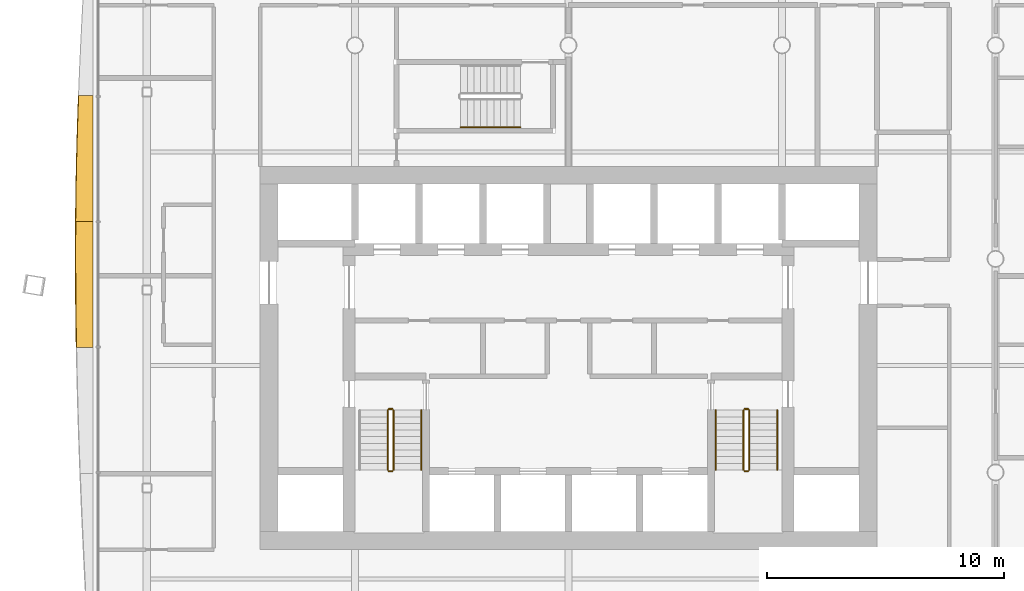
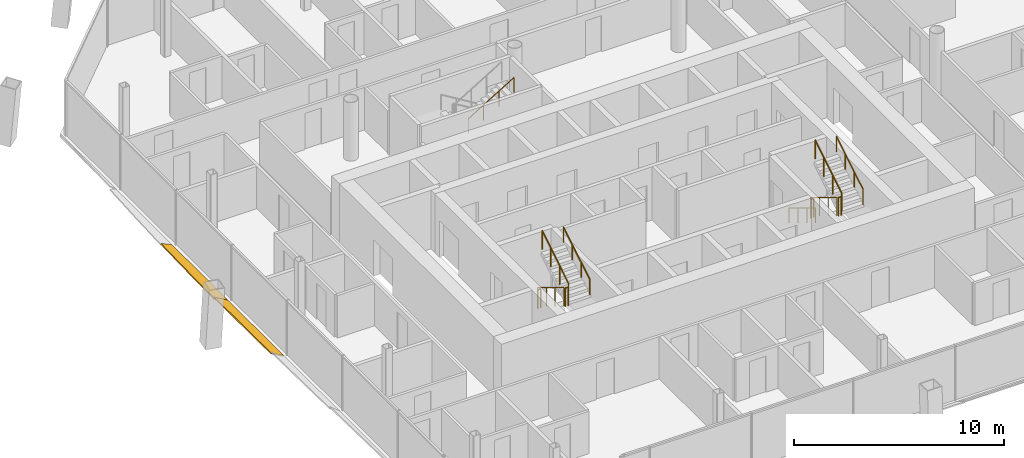
# One storey, part 18 of 21: 12 railings, 2 shading devices.
"""IFC4 building model written with IfcOpenShell, lengths in metres."""

from ifc_helpers import new_model, si_unit, direction, frame, origin, origin_2d, place, context, subcontext, project, spatial, polyline, circle, outline, extrude, material, layer, layer_set, type_object, element, save


model = new_model("IFC4")

# Units and contexts
model_context = context("Model", 3, precision=1e-05, world=origin(), true_north=direction((0.0, 1.0)))
body_context = subcontext(model_context, "Body", "Model", "MODEL_VIEW")
ifc_project = project(units=[si_unit("LENGTHUNIT", "METRE"), si_unit("AREAUNIT", "SQUARE_METRE"), si_unit("VOLUMEUNIT", "CUBIC_METRE"), si_unit("PLANEANGLEUNIT", "RADIAN"), si_unit("MASSUNIT", "GRAM", prefix="KILO")], contexts=[model_context])

# Site, building, storey
site_placement = place(None, origin())
site = spatial("IfcSite", under=ifc_project, at=site_placement, CompositionType="ELEMENT")
building_placement = place(site_placement, origin())
building = spatial("IfcBuilding", under=site, at=building_placement, Name="Tskaro Facet Tower", CompositionType="ELEMENT")
storey_placement = place(building_placement, frame((0.0, 0.0, 138.5)))
storey = spatial("IfcBuildingStorey", under=building, at=storey_placement, Name="L33", CompositionType="ELEMENT", Elevation=138.5)

# Shading devices
ifc_material_1 = material(Name="Bronze anodised aluminium 6063-T6", Category="aluminium")
ifc_layer = layer(ifc_material_1, 0.06005859375, Name="Bronze anodised aluminium 6063-T6")
ifc_layer_set = layer_set([ifc_layer], Name="Bronze anodised aluminium 6063-T6")
shading_device_type = type_object("IfcShadingDeviceType", Name="Bronze sun blade (FN1)", PredefinedType="USERDEFINED", material=ifc_layer_set)
shading_device_1_placement = place(storey_placement, frame((-20.044677734375, 6.896240234375, 0.054443359375), z_axis=(0.422563012401, 1.3069207e-05, 0.906333548083), x_axis=(5.522564e-06, -0.999999999915, 1.1845061e-05)))
element("IfcShadingDevice", 1, at=shading_device_1_placement, inside=storey, type_object=shading_device_type, Name="Fin blade west 3", ObjectType="FIN", PredefinedType="USERDEFINED", context=body_context, shape_type="SweptSolid", body=[
    extrude(outline(polyline([(0.0, 0.0), (5.314697265171114, 0.0), (5.314697266000119, -0.8000635767236906), (4.6503906242412825, -0.792748067699765), (3.986083985746106, -0.7825858982560377), (3.3217773433825877, -0.7695920116354988), (2.65747070428273, -0.7537514645951583), (1.9929199206895514, -0.735079200378006), (1.3286132796367305, -0.7137815485799582), (0.6643066404992886, -0.6898585092010152), (-9.629170461829065e-10, -0.6634281902821247), (0.0, 0.0)])), origin(), (0.0, 0.0, -1.0), 0.06005859375),
])
shading_device_2_placement = place(storey_placement, frame((-20.0400390625, 1.58154296875, 0.052001953125), z_axis=(0.499997975397, -1.6372084e-05, 0.866026572532), x_axis=(-8.186009e-06, -0.999999999866, -1.417866e-05)))
element("IfcShadingDevice", 2, at=shading_device_2_placement, inside=storey, type_object=shading_device_type, Name="Fin blade west 4", ObjectType="FIN", PredefinedType="USERDEFINED", context=body_context, shape_type="SweptSolid", body=[
    extrude(outline(polyline([(0.0, 0.0), (5.314941405537678, -4.501930483819853e-21), (5.314941407450718, -0.8019634460191797), (4.650634764849133, -0.8144402811164849), (3.9863281255657212, -0.8248267412416579), (3.3220214841403592, -0.8330334639442142), (2.657470701411128, -0.8387269471372127), (1.9931640606264998, -0.8421186230893661), (1.3288574231600447, -0.8434199240693873), (1.3181152356614845, -0.8434199240693873), (0.6645507810176136, -0.8417851210024248), (-9.656370637869182e-10, -0.8373035763389631), (0.0, 0.0)])), origin(), (0.0, 0.0, -1.0), 0.06005859375),
])

# Railings
ifc_material_2 = material(Name="Stainless steel", Category="steel")
railing_type_1 = type_object("IfcRailingType", Name="RL-GUARD-1100", PredefinedType="GUARDRAIL", material=ifc_material_2)
railing_1_placement = place(storey_placement, frame((-7.625, -6.375, 0.169921875)))
element("IfcRailing", 3, at=railing_1_placement, inside=storey, type_object=railing_type_1, Name="L33 ST-1 stair guard 1", PredefinedType="GUARDRAIL", context=body_context, shape_type="SweptSolid", body=[
    extrude(circle(Radius=0.02392578125, at=origin_2d()), frame((0.0, 0.0, 1.076171875), z_axis=(0.0, -0.85478489116, 0.518982456201), x_axis=(1.0, 0.0, 0.0)), (0.0, 0.0, 1.0), 2.9482421875),
    extrude(circle(Radius=0.02099609375, at=origin_2d()), origin(), (0.0, 0.0, 1.0), 1.052001953125),
    extrude(circle(Radius=0.02099609375, at=origin_2d()), frame((0.0, -0.840087890625, 0.510009765625)), (0.0, 0.0, 1.0), 1.052001953125),
    extrude(circle(Radius=0.02099609375, at=origin_2d()), frame((0.0, -1.679931640625, 1.02001953125)), (0.0, 0.0, 1.0), 1.052001953125),
    extrude(circle(Radius=0.02099609375, at=origin_2d()), frame((0.0, -2.52001953125, 1.530029296875)), (0.0, 0.0, 1.0), 1.052001953125),
])
railing_2_placement = place(storey_placement, frame((-7.574951171875, -8.945068359375, 1.699951171875)))
element("IfcRailing", 4, at=railing_2_placement, inside=storey, type_object=railing_type_1, Name="L33 ST-1 stair guard 2", PredefinedType="GUARDRAIL", context=body_context, shape_type="SweptSolid", body=[
    extrude(circle(Radius=0.02392578125, at=origin_2d()), frame((0.0, 0.0, 1.076171875), z_axis=(1.0, 0.0, 0.0), x_axis=(0.0, 1.0, 0.0)), (0.0, 0.0, 1.0), 0.14990234375),
    extrude(circle(Radius=0.02099609375, at=origin_2d()), origin(), (0.0, 0.0, 1.0), 1.052001953125),
    extrude(circle(Radius=0.02099609375, at=origin_2d()), frame((0.14990234375, 0.0, 0.0)), (0.0, 0.0, 1.0), 1.052001953125),
])
railing_3_placement = place(storey_placement, frame((-7.375, -8.89501953125, 1.8701171875)))
element("IfcRailing", 5, at=railing_3_placement, inside=storey, type_object=railing_type_1, Name="L33 ST-1 stair guard 3", PredefinedType="GUARDRAIL", context=body_context, shape_type="SweptSolid", body=[
    extrude(circle(Radius=0.02392578125, at=origin_2d()), frame((0.0, 0.0, 1.076171875), z_axis=(0.0, 0.854821627497, 0.518921945155), x_axis=(-1.0, 0.0, 0.0)), (0.0, 0.0, 1.0), 2.947998046875),
    extrude(circle(Radius=0.02099609375, at=origin_2d()), origin(), (0.0, 0.0, 1.0), 1.052001953125),
    extrude(circle(Radius=0.02099609375, at=origin_2d()), frame((0.0, 0.840087890625, 0.510009765625)), (0.0, 0.0, 1.0), 1.052001953125),
    extrude(circle(Radius=0.02099609375, at=origin_2d()), frame((0.0, 1.679931640625, 1.019775390625)), (0.0, 0.0, 1.0), 1.052001953125),
    extrude(circle(Radius=0.02099609375, at=origin_2d()), frame((0.0, 2.52001953125, 1.52978515625)), (0.0, 0.0, 1.0), 1.052001953125),
])
railing_4_placement = place(storey_placement, frame((-7.574951171875, -6.324951171875, 0.0)))
element("IfcRailing", 6, at=railing_4_placement, inside=storey, type_object=railing_type_1, Name="L33 ST-1 stair guard 4", PredefinedType="GUARDRAIL", context=body_context, shape_type="SweptSolid", body=[
    extrude(circle(Radius=0.02392578125, at=origin_2d()), frame((0.0, 0.0, 1.076171875), z_axis=(1.0, 0.0, 0.0), x_axis=(0.0, 1.0, 0.0)), (0.0, 0.0, 1.0), 0.14990234375),
    extrude(circle(Radius=0.02099609375, at=origin_2d()), origin(), (0.0, 0.0, 1.0), 1.052001953125),
    extrude(circle(Radius=0.02099609375, at=origin_2d()), frame((0.14990234375, 0.0, 0.0)), (0.0, 0.0, 1.0), 1.052001953125),
])
railing_5_placement = place(storey_placement, frame((7.375, -6.375, 0.169921875)))
element("IfcRailing", 7, at=railing_5_placement, inside=storey, type_object=railing_type_1, Name="L33 ST-2 stair guard 1", PredefinedType="GUARDRAIL", context=body_context, shape_type="SweptSolid", body=[
    extrude(circle(Radius=0.02392578125, at=origin_2d()), frame((0.0, 0.0, 1.076171875), z_axis=(0.0, -0.85478489116, 0.518982456201), x_axis=(1.0, 0.0, 0.0)), (0.0, 0.0, 1.0), 2.9482421875),
    extrude(circle(Radius=0.02099609375, at=origin_2d()), origin(), (0.0, 0.0, 1.0), 1.052001953125),
    extrude(circle(Radius=0.02099609375, at=origin_2d()), frame((0.0, -0.840087890625, 0.510009765625)), (0.0, 0.0, 1.0), 1.052001953125),
    extrude(circle(Radius=0.02099609375, at=origin_2d()), frame((0.0, -1.679931640625, 1.02001953125)), (0.0, 0.0, 1.0), 1.052001953125),
    extrude(circle(Radius=0.02099609375, at=origin_2d()), frame((0.0, -2.52001953125, 1.530029296875)), (0.0, 0.0, 1.0), 1.052001953125),
])
railing_6_placement = place(storey_placement, frame((7.425048828125, -8.945068359375, 1.699951171875)))
element("IfcRailing", 8, at=railing_6_placement, inside=storey, type_object=railing_type_1, Name="L33 ST-2 stair guard 2", PredefinedType="GUARDRAIL", context=body_context, shape_type="SweptSolid", body=[
    extrude(circle(Radius=0.02392578125, at=origin_2d()), frame((0.0, 0.0, 1.076171875), z_axis=(1.0, 0.0, 0.0), x_axis=(0.0, 1.0, 0.0)), (0.0, 0.0, 1.0), 0.14990234375),
    extrude(circle(Radius=0.02099609375, at=origin_2d()), origin(), (0.0, 0.0, 1.0), 1.052001953125),
    extrude(circle(Radius=0.02099609375, at=origin_2d()), frame((0.14990234375, 0.0, 0.0)), (0.0, 0.0, 1.0), 1.052001953125),
])
railing_7_placement = place(storey_placement, frame((7.625, -8.89501953125, 1.8701171875)))
element("IfcRailing", 9, at=railing_7_placement, inside=storey, type_object=railing_type_1, Name="L33 ST-2 stair guard 3", PredefinedType="GUARDRAIL", context=body_context, shape_type="SweptSolid", body=[
    extrude(circle(Radius=0.02392578125, at=origin_2d()), frame((0.0, 0.0, 1.076171875), z_axis=(0.0, 0.854821627497, 0.518921945155), x_axis=(-1.0, 0.0, 0.0)), (0.0, 0.0, 1.0), 2.947998046875),
    extrude(circle(Radius=0.02099609375, at=origin_2d()), origin(), (0.0, 0.0, 1.0), 1.052001953125),
    extrude(circle(Radius=0.02099609375, at=origin_2d()), frame((0.0, 0.840087890625, 0.510009765625)), (0.0, 0.0, 1.0), 1.052001953125),
    extrude(circle(Radius=0.02099609375, at=origin_2d()), frame((0.0, 1.679931640625, 1.019775390625)), (0.0, 0.0, 1.0), 1.052001953125),
    extrude(circle(Radius=0.02099609375, at=origin_2d()), frame((0.0, 2.52001953125, 1.52978515625)), (0.0, 0.0, 1.0), 1.052001953125),
])
railing_8_placement = place(storey_placement, frame((7.425048828125, -6.324951171875, 0.0)))
element("IfcRailing", 10, at=railing_8_placement, inside=storey, type_object=railing_type_1, Name="L33 ST-2 stair guard 4", PredefinedType="GUARDRAIL", context=body_context, shape_type="SweptSolid", body=[
    extrude(circle(Radius=0.02392578125, at=origin_2d()), frame((0.0, 0.0, 1.076171875), z_axis=(1.0, 0.0, 0.0), x_axis=(0.0, 1.0, 0.0)), (0.0, 0.0, 1.0), 0.14990234375),
    extrude(circle(Radius=0.02099609375, at=origin_2d()), origin(), (0.0, 0.0, 1.0), 1.052001953125),
    extrude(circle(Radius=0.02099609375, at=origin_2d()), frame((0.14990234375, 0.0, 0.0)), (0.0, 0.0, 1.0), 1.052001953125),
])
railing_type_2 = type_object("IfcRailingType", Name="RL-HANDRAIL-900", PredefinedType="HANDRAIL", material=ifc_material_2)
railing_9_placement = place(storey_placement, frame((-6.199951171875, -8.89501953125, 1.8701171875)))
element("IfcRailing", 11, at=railing_9_placement, inside=storey, type_object=railing_type_2, Name="L33 ST-1 stair handrail 2", PredefinedType="HANDRAIL", context=body_context, shape_type="SweptSolid", body=[
    extrude(circle(Radius=0.02392578125, at=origin_2d()), frame((0.0, 0.0, 0.8759765625), z_axis=(0.0, 0.854821627497, 0.518921945155), x_axis=(-1.0, 0.0, 0.0)), (0.0, 0.0, 1.0), 2.947998046875),
    extrude(circle(Radius=0.02099609375, at=origin_2d()), origin(), (0.0, 0.0, 1.0), 0.851806640625),
    extrude(circle(Radius=0.02099609375, at=origin_2d()), frame((0.0, 0.840087890625, 0.510009765625)), (0.0, 0.0, 1.0), 0.851806640625),
    extrude(circle(Radius=0.02099609375, at=origin_2d()), frame((0.0, 1.679931640625, 1.019775390625)), (0.0, 0.0, 1.0), 0.851806640625),
    extrude(circle(Radius=0.02099609375, at=origin_2d()), frame((0.0, 2.52001953125, 1.52978515625)), (0.0, 0.0, 1.0), 0.851806640625),
])
railing_10_placement = place(storey_placement, frame((6.199951171875, -6.375, 0.169921875)))
element("IfcRailing", 12, at=railing_10_placement, inside=storey, type_object=railing_type_2, Name="L33 ST-2 stair handrail 1", PredefinedType="HANDRAIL", context=body_context, shape_type="SweptSolid", body=[
    extrude(circle(Radius=0.02392578125, at=origin_2d()), frame((0.0, 0.0, 0.8759765625), z_axis=(0.0, -0.85478489116, 0.518982456201), x_axis=(1.0, 0.0, 0.0)), (0.0, 0.0, 1.0), 2.9482421875),
    extrude(circle(Radius=0.02099609375, at=origin_2d()), origin(), (0.0, 0.0, 1.0), 0.851806640625),
    extrude(circle(Radius=0.02099609375, at=origin_2d()), frame((0.0, -0.840087890625, 0.510009765625)), (0.0, 0.0, 1.0), 0.851806640625),
    extrude(circle(Radius=0.02099609375, at=origin_2d()), frame((0.0, -1.679931640625, 1.02001953125)), (0.0, 0.0, 1.0), 0.851806640625),
    extrude(circle(Radius=0.02099609375, at=origin_2d()), frame((0.0, -2.52001953125, 1.530029296875)), (0.0, 0.0, 1.0), 0.851806640625),
])
railing_11_placement = place(storey_placement, frame((8.800048828125, -8.89501953125, 1.8701171875)))
element("IfcRailing", 13, at=railing_11_placement, inside=storey, type_object=railing_type_2, Name="L33 ST-2 stair handrail 2", PredefinedType="HANDRAIL", context=body_context, shape_type="SweptSolid", body=[
    extrude(circle(Radius=0.02392578125, at=origin_2d()), frame((0.0, 0.0, 0.8759765625), z_axis=(0.0, 0.854821627497, 0.518921945155), x_axis=(-1.0, 0.0, 0.0)), (0.0, 0.0, 1.0), 2.947998046875),
    extrude(circle(Radius=0.02099609375, at=origin_2d()), origin(), (0.0, 0.0, 1.0), 0.851806640625),
    extrude(circle(Radius=0.02099609375, at=origin_2d()), frame((0.0, 0.840087890625, 0.510009765625)), (0.0, 0.0, 1.0), 0.851806640625),
    extrude(circle(Radius=0.02099609375, at=origin_2d()), frame((0.0, 1.679931640625, 1.019775390625)), (0.0, 0.0, 1.0), 0.851806640625),
    extrude(circle(Radius=0.02099609375, at=origin_2d()), frame((0.0, 2.52001953125, 1.52978515625)), (0.0, 0.0, 1.0), 0.851806640625),
])
railing_12_placement = place(storey_placement, frame((-4.544921875, 5.550048828125, 1.8701171875)))
element("IfcRailing", 14, at=railing_12_placement, inside=storey, type_object=railing_type_2, Name="L33 ST-3 stair handrail 2", PredefinedType="HANDRAIL", context=body_context, shape_type="SweptSolid", body=[
    extrude(circle(Radius=0.02392578125, at=origin_2d()), frame((0.0, 0.0, 0.8759765625), z_axis=(0.854821627497, 0.0, 0.518921945155), x_axis=(0.0, 1.0, 0.0)), (0.0, 0.0, 1.0), 2.947998046875),
    extrude(circle(Radius=0.02099609375, at=origin_2d()), origin(), (0.0, 0.0, 1.0), 0.851806640625),
    extrude(circle(Radius=0.02099609375, at=origin_2d()), frame((0.840087890625, 0.0, 0.510009765625)), (0.0, 0.0, 1.0), 0.851806640625),
    extrude(circle(Radius=0.02099609375, at=origin_2d()), frame((1.679931640625, 0.0, 1.019775390625)), (0.0, 0.0, 1.0), 0.851806640625),
    extrude(circle(Radius=0.02099609375, at=origin_2d()), frame((2.52001953125, 0.0, 1.52978515625)), (0.0, 0.0, 1.0), 0.851806640625),
])

save(model, "model.ifc")
